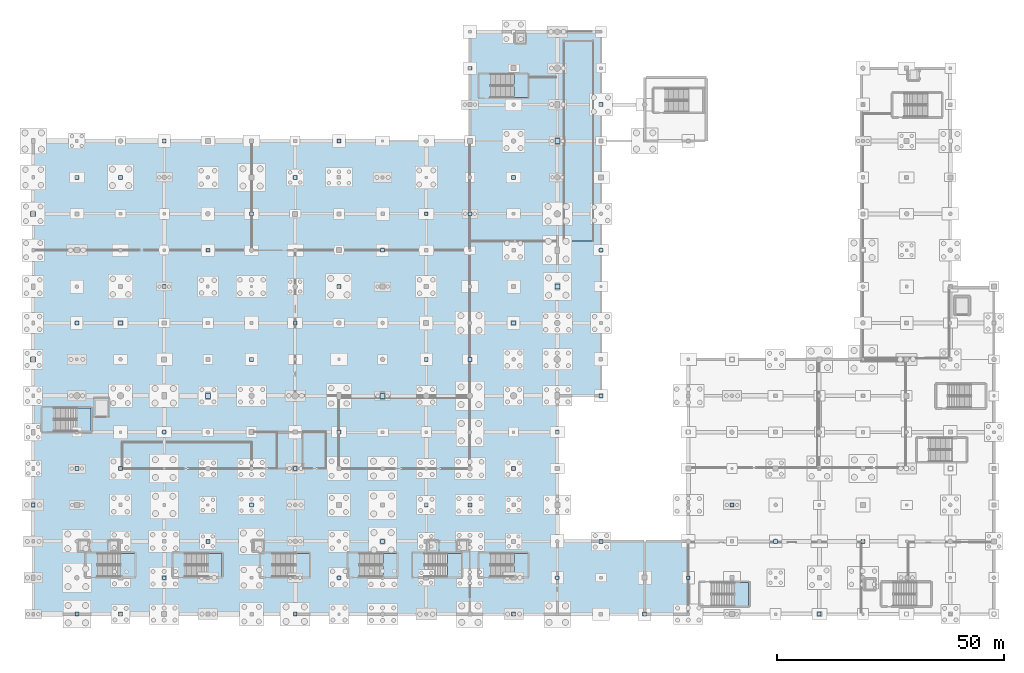
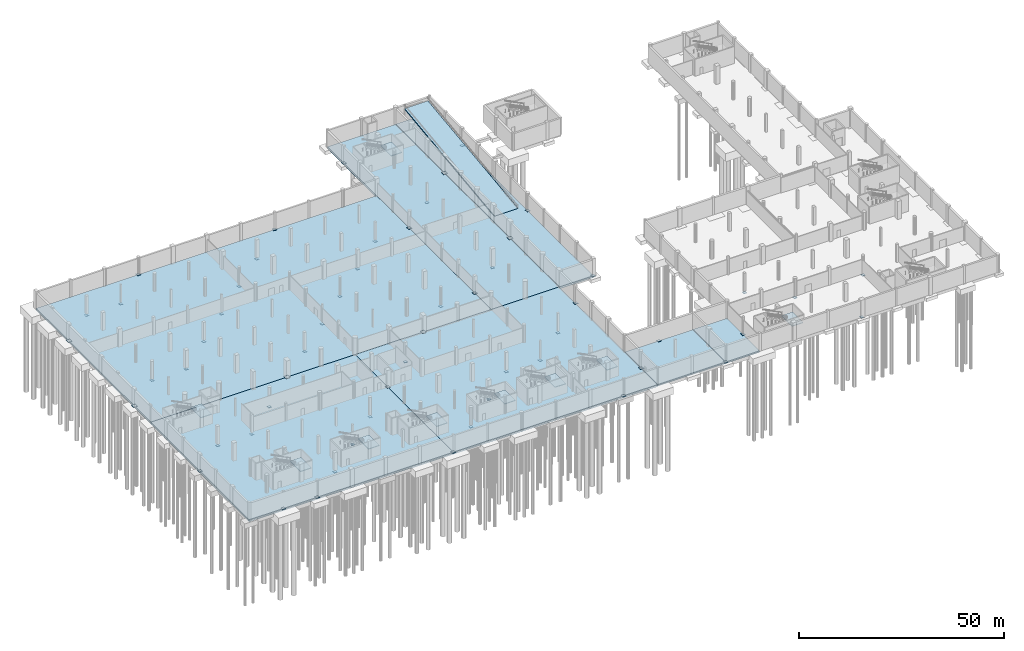
# One storey, part 16 of 44: 57 plates, 17 slabs, 9 elements without a shape of their own.
"""IFC4 building model written with IfcOpenShell, lengths in metres."""

from ifc_helpers import new_model, si_unit, direction, frame, origin, origin_2d, place, context, subcontext, project, spatial, polyline, rectangle, outline, extrude, material, layer, layer_set, type_object, element, aggregate, save


model = new_model("IFC4")

# Units and contexts
model_context = context("Model", 3, precision=1e-05, world=origin(), true_north=direction((0.0, 1.0)))
body_context = subcontext(model_context, "Body", "Model", "MODEL_VIEW")
ifc_project = project(units=[si_unit("LENGTHUNIT", "METRE"), si_unit("AREAUNIT", "SQUARE_METRE"), si_unit("VOLUMEUNIT", "CUBIC_METRE"), si_unit("PLANEANGLEUNIT", "RADIAN"), si_unit("MASSUNIT", "GRAM", prefix="KILO")], contexts=[model_context])

# Site, building, storey
site_placement = place(None, origin())
site = spatial("IfcSite", under=ifc_project, at=site_placement, CompositionType="ELEMENT")
building_placement = place(site_placement, origin())
building = spatial("IfcBuilding", under=site, at=building_placement, Name="Danafjord Basin Convention Centre", CompositionType="ELEMENT")
storey_placement = place(building_placement, frame((0.0, 0.0, -5.39990234375)))
storey = spatial("IfcBuildingStorey", under=building, at=storey_placement, Name="B1", CompositionType="ELEMENT", Elevation=-5.39990234375)

# Plates
ifc_material_1 = material(Name="Steel S355", Category="steel")
ifc_layer_1 = layer(ifc_material_1, 0.0400390625)
ifc_layer_set_1 = layer_set([ifc_layer_1], Name="Steel S355")
plate_type = type_object("IfcPlateType", Name="PLT-BP-40", PredefinedType="SHEET", material=ifc_layer_set_1)
plate_1_placement = place(storey_placement, frame((0.0, 32.0, 0.0), z_axis=(0.0, 0.0, 1.0), x_axis=(1.0, 0.0, 0.0)))
element("IfcPlate", 1, at=plate_1_placement, inside=storey, type_object=plate_type, Name="B1 column baseplate BP-40 at (0.0, 32.0)", PredefinedType="SHEET", context=body_context, shape_type="SweptSolid", body=[
    extrude(rectangle(XDim=0.85009765625, YDim=0.85009765625, at=origin_2d()), origin(), (0.0, 0.0, 1.0), 0.0400390625),
])
for number, where, z_axis, x_axis, name in (
    (2, (0.0, 64.0, 0.0), (0.0, 0.0, 1.0), (1.0, 0.0, 0.0), "B1 column baseplate BP-40 at (0.0, 64.0)"),
    (3, (0.0, 96.0, 0.0), (0.0, 0.0, 1.0), (1.0, 0.0, 0.0), "B1 column baseplate BP-40 at (0.0, 96.0)"),
):
    element("IfcPlate", number, at=place(storey_placement, frame(where, z_axis=z_axis, x_axis=x_axis)), inside=storey, type_object=plate_type, Name=name, PredefinedType="SHEET", context=body_context, shape_type="SweptSolid", body=[
        extrude(rectangle(XDim=1.10009765625, YDim=1.10009765625, at=origin_2d()), origin(), (0.0, 0.0, 1.0), 0.0400390625),
    ])
for number, where, z_axis, x_axis, name in (
    (4, (9.60009765625, 8.0, 0.0), (0.0, 0.0, 1.0), (1.0, 0.0, 0.0), "B1 column baseplate BP-40 at (9.6, 8.0)"),
    (5, (9.60009765625, 40.0, -0.650146484375), (0.0, 0.0, 1.0), (1.0, 0.0, 0.0), "B1 column baseplate BP-40 at (9.6, 40.0)"),
    (6, (9.60009765625, 72.0, -0.60009765625), (0.0, 0.0, 1.0), (1.0, 0.0, 0.0), "B1 column baseplate BP-40 at (9.6, 72.0)"),
    (7, (9.60009765625, 104.0, -0.60009765625), (0.0, 0.0, 1.0), (1.0, 0.0, 0.0), "B1 column baseplate BP-40 at (9.6, 104.0)"),
    (8, (19.199951171875, 8.0, 0.0), (0.0, 0.0, 1.0), (1.0, 0.0, 0.0), "B1 column baseplate BP-40 at (19.2, 8.0)"),
    (9, (19.199951171875, 40.0, -0.650146484375), (0.0, 0.0, 1.0), (1.0, 0.0, 0.0), "B1 column baseplate BP-40 at (19.2, 40.0)"),
    (10, (19.199951171875, 72.0, -0.60009765625), (0.0, 0.0, 1.0), (1.0, 0.0, 0.0), "B1 column baseplate BP-40 at (19.2, 72.0)"),
    (11, (19.199951171875, 104.0, -0.60009765625), (0.0, 0.0, 1.0), (1.0, 0.0, 0.0), "B1 column baseplate BP-40 at (19.2, 104.0)"),
    (12, (28.800048828125, 16.0, -0.650146484375), (0.0, 0.0, 1.0), (1.0, 0.0, 0.0), "B1 column baseplate BP-40 at (28.8, 16.0)"),
    (13, (28.800048828125, 48.0, -0.650146484375), (0.0, 0.0, 1.0), (1.0, 0.0, 0.0), "B1 column baseplate BP-40 at (28.8, 48.0)"),
    (14, (28.800048828125, 80.0, -0.60009765625), (0.0, 0.0, 1.0), (1.0, 0.0, 0.0), "B1 column baseplate BP-40 at (28.8, 80.0)"),
    (15, (28.800048828125, 112.0, 0.0), (0.0, 0.0, 1.0), (1.0, 0.0, 0.0), "B1 column baseplate BP-40 at (28.8, 112.0)"),
    (16, (38.39990234375, 24.0, -0.650146484375), (0.0, 0.0, 1.0), (1.0, 0.0, 0.0), "B1 column baseplate BP-40 at (38.4, 24.0)"),
):
    element("IfcPlate", number, at=place(storey_placement, frame(where, z_axis=z_axis, x_axis=x_axis)), inside=storey, type_object=plate_type, Name=name, PredefinedType="SHEET", context=body_context, shape_type="SweptSolid", body=[
        extrude(rectangle(XDim=0.85009765625, YDim=0.85009765625, at=origin_2d()), origin(), (0.0, 0.0, 1.0), 0.0400390625),
    ])
plate_2_placement = place(storey_placement, frame((38.39990234375, 56.0, 0.0), z_axis=(0.0, 0.0, 1.0), x_axis=(1.0, 0.0, 0.0)))
element("IfcPlate", 17, at=plate_2_placement, inside=storey, type_object=plate_type, Name="B1 column baseplate BP-40 at (38.4, 56.0)", PredefinedType="SHEET", context=body_context, shape_type="SweptSolid", body=[
    extrude(rectangle(XDim=1.10009765625, YDim=1.10009765625, at=origin_2d()), origin(), (0.0, 0.0, 1.0), 0.0400390625),
])
for number, where, z_axis, x_axis, name in (
    (18, (38.39990234375, 88.0, -0.60009765625), (0.0, 0.0, 1.0), (1.0, 0.0, 0.0), "B1 column baseplate BP-40 at (38.4, 88.0)"),
    (19, (48.0, 32.0, -0.650146484375), (0.0, 0.0, 1.0), (1.0, 0.0, 0.0), "B1 column baseplate BP-40 at (48.0, 32.0)"),
    (20, (48.0, 64.0, -0.60009765625), (0.0, 0.0, 1.0), (1.0, 0.0, 0.0), "B1 column baseplate BP-40 at (48.0, 64.0)"),
    (21, (48.0, 96.0, -0.60009765625), (0.0, 0.0, 1.0), (1.0, 0.0, 0.0), "B1 column baseplate BP-40 at (48.0, 96.0)"),
    (22, (57.60009765625, 8.0, 0.0), (0.0, 0.0, 1.0), (1.0, 0.0, 0.0), "B1 column baseplate BP-40 at (57.6, 8.0)"),
    (23, (57.60009765625, 40.0, 0.0), (0.0, 0.0, 1.0), (1.0, 0.0, 0.0), "B1 column baseplate BP-40 at (57.6, 40.0)"),
    (24, (57.60009765625, 72.0, -0.60009765625), (0.0, 0.0, 1.0), (1.0, 0.0, 0.0), "B1 column baseplate BP-40 at (57.6, 72.0)"),
    (25, (57.60009765625, 104.0, -0.60009765625), (0.0, 0.0, 1.0), (1.0, 0.0, 0.0), "B1 column baseplate BP-40 at (57.6, 104.0)"),
    (26, (67.199951171875, 16.0, -0.650146484375), (0.0, 0.0, 1.0), (1.0, 0.0, 0.0), "B1 column baseplate BP-40 at (67.2, 16.0)"),
    (27, (67.199951171875, 48.0, -0.650146484375), (0.0, 0.0, 1.0), (1.0, 0.0, 0.0), "B1 column baseplate BP-40 at (67.2, 48.0)"),
    (28, (67.199951171875, 80.0, -0.60009765625), (0.0, 0.0, 1.0), (1.0, 0.0, 0.0), "B1 column baseplate BP-40 at (67.2, 80.0)"),
    (29, (67.199951171875, 112.0, 0.0), (0.0, 0.0, 1.0), (1.0, 0.0, 0.0), "B1 column baseplate BP-40 at (67.2, 112.0)"),
    (30, (76.800048828125, 24.0, -0.650146484375), (0.0, 0.0, 1.0), (1.0, 0.0, 0.0), "B1 column baseplate BP-40 at (76.8, 24.0)"),
):
    element("IfcPlate", number, at=place(storey_placement, frame(where, z_axis=z_axis, x_axis=x_axis)), inside=storey, type_object=plate_type, Name=name, PredefinedType="SHEET", context=body_context, shape_type="SweptSolid", body=[
        extrude(rectangle(XDim=0.85009765625, YDim=0.85009765625, at=origin_2d()), origin(), (0.0, 0.0, 1.0), 0.0400390625),
    ])
plate_3_placement = place(storey_placement, frame((76.800048828125, 56.0, 0.0), z_axis=(0.0, 0.0, 1.0), x_axis=(1.0, 0.0, 0.0)))
element("IfcPlate", 31, at=plate_3_placement, inside=storey, type_object=plate_type, Name="B1 column baseplate BP-40 at (76.8, 56.0)", PredefinedType="SHEET", context=body_context, shape_type="SweptSolid", body=[
    extrude(rectangle(XDim=1.10009765625, YDim=1.10009765625, at=origin_2d()), origin(), (0.0, 0.0, 1.0), 0.0400390625),
])
for number, where, z_axis, x_axis, name in (
    (32, (76.800048828125, 88.0, -0.60009765625), (0.0, 0.0, 1.0), (1.0, 0.0, 0.0), "B1 column baseplate BP-40 at (76.8, 88.0)"),
    (33, (86.39990234375, 32.0, -0.650146484375), (0.0, 0.0, 1.0), (1.0, 0.0, 0.0), "B1 column baseplate BP-40 at (86.4, 32.0)"),
    (34, (86.39990234375, 64.0, -0.60009765625), (0.0, 0.0, 1.0), (1.0, 0.0, 0.0), "B1 column baseplate BP-40 at (86.4, 64.0)"),
    (35, (86.39990234375, 96.0, -0.60009765625), (0.0, 0.0, 1.0), (1.0, 0.0, 0.0), "B1 column baseplate BP-40 at (86.4, 96.0)"),
    (36, (96.0, 32.0, -0.650146484375), (0.0, 0.0, 1.0), (1.0, 0.0, 0.0), "B1 column baseplate BP-40 at (96.0, 32.0)"),
    (37, (96.0, 64.0, 0.0), (0.0, 0.0, 1.0), (1.0, 0.0, 0.0), "B1 column baseplate BP-40 at (96.0, 64.0)"),
    (38, (96.0, 96.0, 0.0), (0.0, 0.0, 1.0), (1.0, 0.0, 0.0), "B1 column baseplate BP-40 at (96.0, 96.0)"),
    (39, (96.0, 128.0, 0.0), (0.0, 0.0, 1.0), (1.0, 0.0, 0.0), "B1 column baseplate BP-40 at (96.0, 128.0)"),
    (40, (105.60009765625, 8.0, 0.0), (0.0, 0.0, 1.0), (1.0, 0.0, 0.0), "B1 column baseplate BP-40 at (105.6, 8.0)"),
    (41, (105.60009765625, 40.0, -0.650146484375), (0.0, 0.0, 1.0), (1.0, 0.0, 0.0), "B1 column baseplate BP-40 at (105.6, 40.0)"),
    (42, (105.60009765625, 72.0, -0.60009765625), (0.0, 0.0, 1.0), (1.0, 0.0, 0.0), "B1 column baseplate BP-40 at (105.6, 72.0)"),
    (43, (105.60009765625, 104.0, -0.60009765625), (0.0, 0.0, 1.0), (1.0, 0.0, 0.0), "B1 column baseplate BP-40 at (105.6, 104.0)"),
    (44, (115.199951171875, 16.0, 0.0), (0.0, 0.0, 1.0), (1.0, 0.0, 0.0), "B1 column baseplate BP-40 at (115.2, 16.0)"),
    (45, (115.199951171875, 48.0, 0.0), (0.0, 0.0, 1.0), (1.0, 0.0, 0.0), "B1 column baseplate BP-40 at (115.2, 48.0)"),
):
    element("IfcPlate", number, at=place(storey_placement, frame(where, z_axis=z_axis, x_axis=x_axis)), inside=storey, type_object=plate_type, Name=name, PredefinedType="SHEET", context=body_context, shape_type="SweptSolid", body=[
        extrude(rectangle(XDim=0.85009765625, YDim=0.85009765625, at=origin_2d()), origin(), (0.0, 0.0, 1.0), 0.0400390625),
    ])
for number, where, z_axis, x_axis, name in (
    (46, (115.199951171875, 80.0, 0.0), (0.0, 0.0, 1.0), (1.0, 0.0, 0.0), "B1 column baseplate BP-40 at (115.2, 80.0)"),
    (47, (115.199951171875, 112.0, 0.0), (0.0, 0.0, 1.0), (1.0, 0.0, 0.0), "B1 column baseplate BP-40 at (115.2, 112.0)"),
):
    element("IfcPlate", number, at=place(storey_placement, frame(where, z_axis=z_axis, x_axis=x_axis)), inside=storey, type_object=plate_type, Name=name, PredefinedType="SHEET", context=body_context, shape_type="SweptSolid", body=[
        extrude(rectangle(XDim=1.10009765625, YDim=1.10009765625, at=origin_2d()), origin(), (0.0, 0.0, 1.0), 0.0400390625),
    ])
for number, where, z_axis, x_axis, name in (
    (48, (124.800048828125, 24.0, 0.0), (0.0, 0.0, 1.0), (1.0, 0.0, 0.0), "B1 column baseplate BP-40 at (124.8, 24.0)"),
    (49, (124.800048828125, 56.0, 0.0), (0.0, 0.0, 1.0), (1.0, 0.0, 0.0), "B1 column baseplate BP-40 at (124.8, 56.0)"),
    (50, (124.800048828125, 88.0, 0.0), (0.0, 0.0, 1.0), (1.0, 0.0, 0.0), "B1 column baseplate BP-40 at (124.8, 88.0)"),
    (51, (124.800048828125, 120.0, 0.0), (0.0, 0.0, 1.0), (1.0, 0.0, 0.0), "B1 column baseplate BP-40 at (124.8, 120.0)"),
    (52, (134.39990234375, 8.0, 0.0), (0.0, 0.0, 1.0), (1.0, 0.0, 0.0), "B1 column baseplate BP-40 at (134.4, 8.0)"),
    (53, (144.0, 16.0, 0.0), (0.0, 0.0, 1.0), (1.0, 0.0, 0.0), "B1 column baseplate BP-40 at (144.0, 16.0)"),
    (54, (153.60009765625, 32.0, -0.550048828125), (0.0, 0.0, 1.0), (1.0, 0.0, 0.0), "B1 column baseplate BP-40 at (153.6, 32.0)"),
    (55, (163.199951171875, 24.0, -0.550048828125), (0.0, 0.0, 1.0), (1.0, 0.0, 0.0), "B1 column baseplate BP-40 at (163.2, 24.0)"),
    (56, (172.800048828125, 8.0, 0.0), (0.0, 0.0, 1.0), (1.0, 0.0, 0.0), "B1 column baseplate BP-40 at (172.8, 8.0)"),
    (57, (182.39990234375, 24.0, -0.550048828125), (0.0, 0.0, 1.0), (1.0, 0.0, 0.0), "B1 column baseplate BP-40 at (182.4, 24.0)"),
):
    element("IfcPlate", number, at=place(storey_placement, frame(where, z_axis=z_axis, x_axis=x_axis)), inside=storey, type_object=plate_type, Name=name, PredefinedType="SHEET", context=body_context, shape_type="SweptSolid", body=[
        extrude(rectangle(XDim=0.85009765625, YDim=0.85009765625, at=origin_2d()), origin(), (0.0, 0.0, 1.0), 0.0400390625),
    ])

# Slabs
ifc_material_2 = material(Name="Concrete C40/50", Category="concrete")
ifc_layer_2 = layer(ifc_material_2, 0.5)
ifc_layer_set_2 = layer_set([ifc_layer_2], Name="Concrete C40/50")
slab_type_1 = type_object("IfcSlabType", Name="SLAB-BS-500", PredefinedType="BASESLAB", material=ifc_layer_set_2)
slab_1_placement = place(storey_placement, frame((0.0, 0.0, -0.5)))
element("IfcSlab", 58, at=slab_1_placement, inside=storey, type_object=slab_type_1, Name="B1 BS-500 slab SL-B1-LINKW", PredefinedType="BASESLAB", context=body_context, shape_type="SweptSolid", body=[
    extrude(outline(polyline([(115.25, 8.0), (115.25, 24.0), (134.35009765625, 24.0), (134.35009765625, 8.0), (115.25, 8.0)])), origin(), (0.0, 0.0, 1.0), 0.5),
])
slab_2_placement = place(storey_placement, frame((0.0, 0.0, -0.5)))
element("IfcSlab", 59, at=slab_2_placement, inside=storey, type_object=slab_type_1, Name="B1 BS-500 slab SL-B1-LINKE", PredefinedType="BASESLAB", context=body_context, shape_type="SweptSolid", body=[
    extrude(outline(polyline([(134.449951171875, 8.0), (134.449951171875, 24.0), (144.0, 24.0), (144.0, 8.0), (134.449951171875, 8.0)])), origin(), (0.0, 0.0, 1.0), 0.5),
])
ifc_layer_3 = layer(ifc_material_2, 0.60009765625)
ifc_layer_set_3 = layer_set([ifc_layer_3], Name="Concrete C40/50")
slab_type_2 = type_object("IfcSlabType", Name="SLAB-BS-600", PredefinedType="BASESLAB", material=ifc_layer_set_3)
slab_3_placement = place(storey_placement, frame((0.0, 0.0, -0.60009765625)))
element("IfcSlab", 60, at=slab_3_placement, inside=storey, type_object=slab_type_2, Name="B1 BS-600 slab SL-B1-NW", PredefinedType="BASESLAB", context=body_context, shape_type="SweptSolid", body=[
    extrude(outline(polyline([(0.0, 56.0), (0.0, 112.0), (96.0, 112.0), (96.0, 56.0), (0.0, 56.0)])), origin(), (0.0, 0.0, 1.0), 0.60009765625),
])
slab_4_placement = place(storey_placement, frame((0.0, 0.0, -0.60009765625)))
element("IfcSlab", 61, at=slab_4_placement, inside=storey, type_object=slab_type_2, Name="B1 BS-600 slab SL-B1-N1W", PredefinedType="BASESLAB", context=body_context, shape_type="SweptSolid", body=[
    extrude(outline(polyline([(96.0, 56.0), (96.0, 136.0), (115.14990234375, 136.0), (115.14990234375, 56.0), (96.0, 56.0)])), origin(), (0.0, 0.0, 1.0), 0.60009765625),
])
slab_5_placement = place(storey_placement, frame((0.0, 0.0, -0.60009765625)))
element("IfcSlab", 62, at=slab_5_placement, inside=storey, type_object=slab_type_2, Name="B1 BS-600 slab SL-B1-N1E", PredefinedType="BASESLAB", context=body_context, shape_type="SweptSolid", body=[
    extrude(outline(polyline([(115.25, 56.0), (115.25, 136.0), (124.800048828125, 136.0), (124.800048828125, 56.0), (115.25, 56.0)])), origin(), (0.0, 0.0, 1.0), 0.60009765625),
])
ifc_layer_4 = layer(ifc_material_2, 0.64990234375)
ifc_layer_set_4 = layer_set([ifc_layer_4], Name="Concrete C40/50")
slab_type_3 = type_object("IfcSlabType", Name="SLAB-BS-650", PredefinedType="BASESLAB", material=ifc_layer_set_4)
slab_6_placement = place(storey_placement, frame((0.0, 0.0, -0.650146484375)))
element("IfcSlab", 63, at=slab_6_placement, inside=storey, type_object=slab_type_3, Name="B1 BS-650 slab SL-B1-W1", PredefinedType="BASESLAB", context=body_context, shape_type="SweptSolid", body=[
    extrude(outline(polyline([(0.0, 8.0), (0.0, 56.0), (57.60009765625, 56.0), (57.60009765625, 8.0), (0.0, 8.0)])), origin(), (0.0, 0.0, 1.0), 0.650146484375),
])
slab_7_placement = place(storey_placement, frame((0.0, 0.0, -0.650146484375)))
element("IfcSlab", 64, at=slab_7_placement, inside=storey, type_object=slab_type_3, Name="B1 BS-650 slab SL-B1-W2", PredefinedType="BASESLAB", context=body_context, shape_type="SweptSolid", body=[
    extrude(outline(polyline([(57.60009765625, 8.0), (57.60009765625, 56.0), (115.199951171875, 56.0), (115.199951171875, 8.0), (57.60009765625, 8.0)])), origin(), (0.0, 0.0, 1.0), 0.650146484375),
])

# Stair, slab
stair_type = type_object("IfcStairType", Name="STAIR-STR-C01", PredefinedType="TWO_STRAIGHT_RUN_STAIR", material=ifc_material_2)
stair_1_placement = place(storey_placement, origin())
stair_1 = element("IfcStair", 65, at=stair_1_placement, inside=storey, type_object=stair_type, Name="B1 West Harbour Core Stair 1", PredefinedType="HALF_TURN_STAIR")
ifc_layer_5 = layer(ifc_material_2, 0.199951171875)
ifc_layer_set_5 = layer_set([ifc_layer_5], Name="Concrete C40/50")
slab_type_4 = type_object("IfcSlabType", Name="SLAB-LAND-200", PredefinedType="LANDING", material=ifc_layer_set_5)
slab_8_placement = place(storey_placement, frame((0.0, 0.0, 2.5)))
slab_8 = element("IfcSlab", 66, at=slab_8_placement, type_object=slab_type_4, Name="ST-01 landing 1", PredefinedType="LANDING", context=body_context, shape_type="SweptSolid", body=[
    extrude(outline(polyline([(19.239990234375, 16.2099609375), (22.330078125, 16.2099609375), (22.330078125, 21.35009765625), (19.239990234375, 21.35009765625), (19.239990234375, 16.2099609375)])), origin(), (0.0, 0.0, 1.0), 0.199951171875),
])
aggregate(stair_1, [slab_8])

stair_2_placement = place(storey_placement, origin())
stair_2 = element("IfcStair", 67, at=stair_2_placement, inside=storey, type_object=stair_type, Name="B1 Central Harbour Core Stair 1", PredefinedType="HALF_TURN_STAIR")
slab_9_placement = place(storey_placement, frame((0.0, 0.0, 2.5)))
slab_9 = element("IfcSlab", 68, at=slab_9_placement, type_object=slab_type_4, Name="ST-03 landing 1", PredefinedType="LANDING", context=body_context, shape_type="SweptSolid", body=[
    extrude(outline(polyline([(91.0400390625, 16.2099609375), (94.1298828125, 16.2099609375), (94.1298828125, 21.35009765625), (91.0400390625, 21.35009765625), (91.0400390625, 16.2099609375)])), origin(), (0.0, 0.0, 1.0), 0.199951171875),
])
aggregate(stair_2, [slab_9])

stair_3_placement = place(storey_placement, origin())
stair_3 = element("IfcStair", 69, at=stair_3_placement, inside=storey, type_object=stair_type, Name="B1 Mid-Arc Meeting Core Stair 1", PredefinedType="HALF_TURN_STAIR")
slab_10_placement = place(storey_placement, frame((0.0, 0.0, 2.5)))
slab_10 = element("IfcSlab", 70, at=slab_10_placement, type_object=slab_type_4, Name="ST-05 landing 1", PredefinedType="LANDING", context=body_context, shape_type="SweptSolid", body=[
    extrude(outline(polyline([(57.639892578125, 16.2099609375), (60.72998046875, 16.2099609375), (60.72998046875, 21.35009765625), (57.639892578125, 21.35009765625), (57.639892578125, 16.2099609375)])), origin(), (0.0, 0.0, 1.0), 0.199951171875),
])
aggregate(stair_3, [slab_10])

stair_4_placement = place(storey_placement, origin())
stair_4 = element("IfcStair", 71, at=stair_4_placement, inside=storey, type_object=stair_type, Name="B1 West Exhibition Core Stair 1", PredefinedType="HALF_TURN_STAIR")
slab_11_placement = place(storey_placement, frame((0.0, 0.0, 2.5)))
slab_11 = element("IfcSlab", 72, at=slab_11_placement, type_object=slab_type_4, Name="ST-07 landing 1", PredefinedType="LANDING", context=body_context, shape_type="SweptSolid", body=[
    extrude(outline(polyline([(9.639892578125, 48.2099609375), (12.72998046875, 48.2099609375), (12.72998046875, 53.35009765625), (9.639892578125, 53.35009765625), (9.639892578125, 48.2099609375)])), origin(), (0.0, 0.0, 1.0), 0.199951171875),
])
aggregate(stair_4, [slab_11])

stair_5_placement = place(storey_placement, origin())
stair_5 = element("IfcStair", 73, at=stair_5_placement, inside=storey, type_object=stair_type, Name="B1 North Exhibition Core Stair 1", PredefinedType="HALF_TURN_STAIR")
slab_12_placement = place(storey_placement, frame((0.0, 0.0, 2.5)))
slab_12 = element("IfcSlab", 74, at=slab_12_placement, type_object=slab_type_4, Name="ST-09 landing 1", PredefinedType="LANDING", context=body_context, shape_type="SweptSolid", body=[
    extrude(outline(polyline([(105.639892578125, 121.56005859375), (108.72998046875, 121.56005859375), (108.72998046875, 126.699951171875), (105.639892578125, 126.699951171875), (105.639892578125, 121.56005859375)])), origin(), (0.0, 0.0, 1.0), 0.199951171875),
])
aggregate(stair_5, [slab_12])

stair_6_placement = place(storey_placement, origin())
stair_6 = element("IfcStair", 75, at=stair_6_placement, inside=storey, type_object=stair_type, Name="B1 West Harbour Escape Stair 2", PredefinedType="HALF_TURN_STAIR")
slab_13_placement = place(storey_placement, frame((0.0, 0.0, 2.5)))
slab_13 = element("IfcSlab", 76, at=slab_13_placement, type_object=slab_type_4, Name="ST-02 landing 1", PredefinedType="LANDING", context=body_context, shape_type="SweptSolid", body=[
    extrude(outline(polyline([(38.43994140625, 16.2099609375), (41.530029296875, 16.2099609375), (41.530029296875, 21.35009765625), (38.43994140625, 21.35009765625), (38.43994140625, 16.2099609375)])), origin(), (0.0, 0.0, 1.0), 0.199951171875),
])
aggregate(stair_6, [slab_13])

stair_7_placement = place(storey_placement, origin())
stair_7 = element("IfcStair", 77, at=stair_7_placement, inside=storey, type_object=stair_type, Name="B1 East Harbour Escape Stair 2", PredefinedType="HALF_TURN_STAIR")
slab_14_placement = place(storey_placement, frame((0.0, 0.0, 2.5)))
slab_14 = element("IfcSlab", 78, at=slab_14_placement, type_object=slab_type_4, Name="ST-04 landing 1", PredefinedType="LANDING", context=body_context, shape_type="SweptSolid", body=[
    extrude(outline(polyline([(105.639892578125, 16.2099609375), (108.72998046875, 16.2099609375), (108.72998046875, 21.35009765625), (105.639892578125, 21.35009765625), (105.639892578125, 16.2099609375)])), origin(), (0.0, 0.0, 1.0), 0.199951171875),
])
aggregate(stair_7, [slab_14])

stair_8_placement = place(storey_placement, origin())
stair_8 = element("IfcStair", 79, at=stair_8_placement, inside=storey, type_object=stair_type, Name="B1 Mid-Arc Escape Stair 2", PredefinedType="HALF_TURN_STAIR")
slab_15_placement = place(storey_placement, frame((0.0, 0.0, 2.5)))
slab_15 = element("IfcSlab", 80, at=slab_15_placement, type_object=slab_type_4, Name="ST-06 landing 1", PredefinedType="LANDING", context=body_context, shape_type="SweptSolid", body=[
    extrude(outline(polyline([(76.840087890625, 16.2099609375), (79.929931640625, 16.2099609375), (79.929931640625, 21.35009765625), (76.840087890625, 21.35009765625), (76.840087890625, 16.2099609375)])), origin(), (0.0, 0.0, 1.0), 0.199951171875),
])
aggregate(stair_8, [slab_15])

stair_9_placement = place(storey_placement, origin())
stair_9 = element("IfcStair", 81, at=stair_9_placement, inside=storey, type_object=stair_type, Name="B1 Harbour Pavilion West Escape Stair", PredefinedType="HALF_TURN_STAIR")
slab_16_placement = place(storey_placement, frame((0.0, 0.0, 2.5)))
slab_16 = element("IfcSlab", 82, at=slab_16_placement, type_object=slab_type_4, Name="ST-16 landing 1", PredefinedType="LANDING", context=body_context, shape_type="SweptSolid", body=[
    extrude(outline(polyline([(154.18994140625, 9.81005859375), (157.280029296875, 9.81005859375), (157.280029296875, 14.949951171875), (154.18994140625, 14.949951171875), (154.18994140625, 9.81005859375)])), origin(), (0.0, 0.0, 1.0), 0.199951171875),
])
aggregate(stair_9, [slab_16])

# Slab
ifc_layer_6 = layer(ifc_material_2, 0.300048828125)
ifc_layer_set_6 = layer_set([ifc_layer_6], Name="Concrete C40/50")
slab_type_5 = type_object("IfcSlabType", Name="SLAB-SLB-VR300", PredefinedType="FLOOR", material=ifc_layer_set_6)
slab_17_placement = place(storey_placement, frame((116.60009765625, 90.0, 0.0), z_axis=(0.0, -0.12181115593, 0.992553294434), x_axis=(1.0, 0.0, 0.0)))
element("IfcSlab", 83, at=slab_17_placement, inside=storey, type_object=slab_type_5, Name="North Freight Vehicle Ramp VR-01 Structural Slab", PredefinedType="FLOOR", context=body_context, shape_type="SweptSolid", body=[
    extrude(outline(polyline([(0.0, 0.0), (6.599853515625, 0.0), (6.599853515625, 44.3301133014798), (0.0, 44.3301133014798), (0.0, 0.0)])), origin(), (0.0, 0.0, -1.0), 0.300048828125),
])

save(model, "model.ifc")
